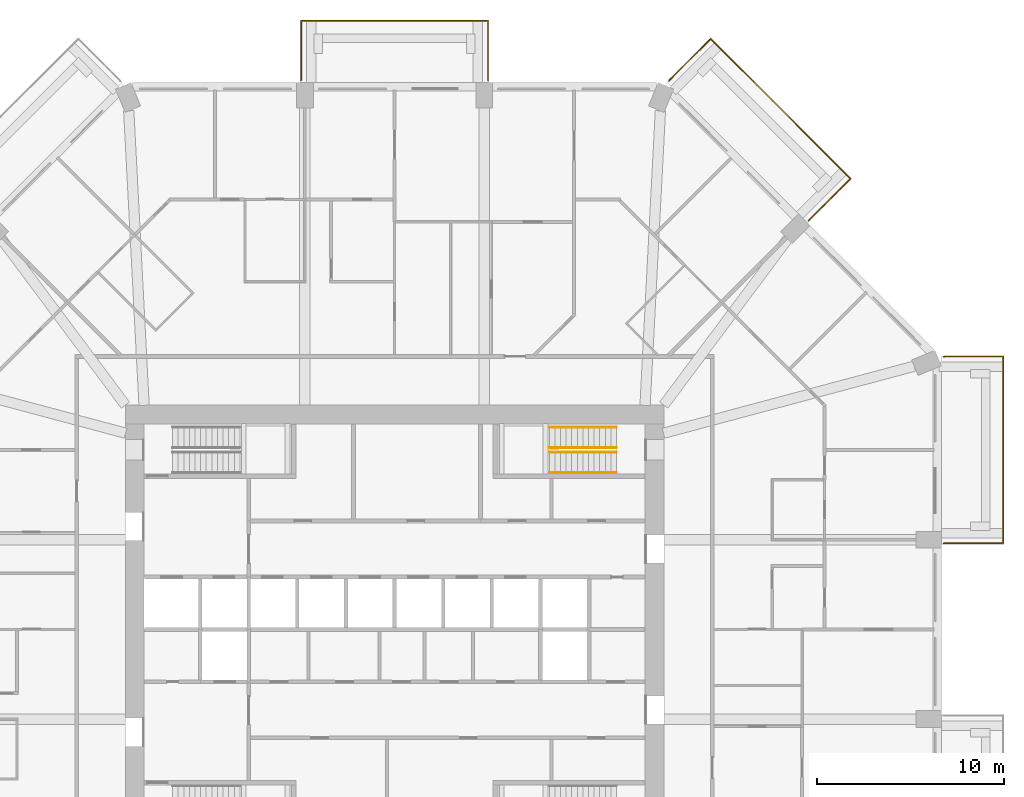
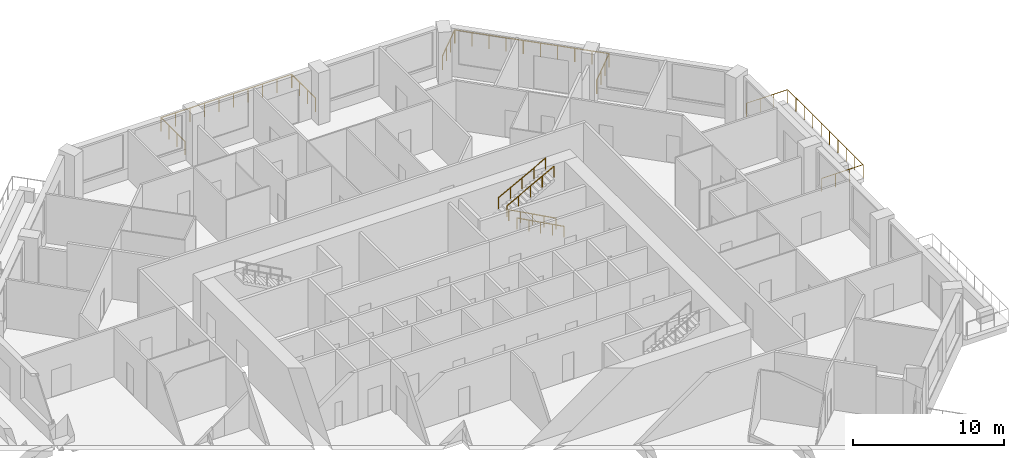
# One storey, part 13 of 13: 7 railings.
"""IFC4 building model written with IfcOpenShell, lengths in metres."""

from ifc_helpers import new_model, si_unit, direction, frame, origin, origin_2d, place, context, subcontext, project, spatial, circle, extrude, material, constituent, constituent_set, type_object, element, save


model = new_model("IFC4")

# Units and contexts
model_context = context("Model", 3, precision=1e-05, world=origin(), true_north=direction((0.0, 1.0)))
body_context = subcontext(model_context, "Body", "Model", "MODEL_VIEW")
ifc_project = project(units=[si_unit("LENGTHUNIT", "METRE"), si_unit("AREAUNIT", "SQUARE_METRE"), si_unit("VOLUMEUNIT", "CUBIC_METRE"), si_unit("PLANEANGLEUNIT", "RADIAN"), si_unit("MASSUNIT", "GRAM", prefix="KILO")], contexts=[model_context])

# Site, building, storey
site_placement = place(None, origin())
site = spatial("IfcSite", under=ifc_project, at=site_placement, CompositionType="ELEMENT")
building_placement = place(site_placement, origin())
building = spatial("IfcBuilding", under=site, at=building_placement, Name="Msitu Wima Residences", CompositionType="ELEMENT")
storey_placement = place(building_placement, frame((0.0, 0.0, 25.5)))
storey = spatial("IfcBuildingStorey", under=building, at=storey_placement, Name="L05", CompositionType="ELEMENT", Elevation=25.5)

# Railings
ifc_material_1 = material(Name="Steel S355", Category="steel")
ifc_constituent_1 = constituent(ifc_material_1, Name="Steel S355")
ifc_material_2 = material(Name="Weathering patina")
ifc_constituent_2 = constituent(ifc_material_2, Name="Weathering patina")
ifc_constituent_set_1 = constituent_set(constituents=[ifc_constituent_1, ifc_constituent_2], Name="Steel S355")
railing_type_1 = type_object("IfcRailingType", Name="Balcony guard GR1100", PredefinedType="GUARDRAIL", material=ifc_constituent_set_1)
railing_1_placement = place(storey_placement, frame((29.3798828125, 14.586181640625, 0.0)))
element("IfcRailing", 1, at=railing_1_placement, inside=storey, type_object=railing_type_1, Name="Balcony guard E2 L05", PredefinedType="GUARDRAIL", context=body_context, shape_type="SweptSolid", body=[
    extrude(circle(Radius=0.02392578125, at=origin_2d()), frame((0.0, 0.0, 1.076171875), z_axis=(0.92426142649, 0.38176015442, 0.0), x_axis=(-0.38176015442, 0.92426142649, 0.0)), (0.0, 0.0, 1.0), 0.036376953125),
    extrude(circle(Radius=0.02392578125, at=origin_2d()), frame((0.03369140625, 0.013916015625, 1.076171875), z_axis=(1.0, 0.0, 0.0), x_axis=(0.0, 1.0, 0.0)), (0.0, 0.0, 1.0), 3.136474609375),
    extrude(circle(Radius=0.02392578125, at=origin_2d()), frame((3.170166015625, 0.013916015625, 1.076171875), z_axis=(0.0, -1.0, 0.0), x_axis=(1.0, 0.0, 0.0)), (0.0, 0.0, 1.0), 10.0),
    extrude(circle(Radius=0.02392578125, at=origin_2d()), frame((3.170166015625, -9.986083984375, 1.076171875), z_axis=(-1.0, 0.0, 0.0), x_axis=(0.0, -1.0, 0.0)), (0.0, 0.0, 1.0), 3.170166015625),
    extrude(circle(Radius=0.02099609375, at=origin_2d()), origin(), (0.0, 0.0, 1.0), 1.052001953125),
    extrude(circle(Radius=0.02099609375, at=origin_2d()), frame((0.03369140625, 0.013916015625, 0.0)), (0.0, 0.0, 1.0), 1.052001953125),
    extrude(circle(Radius=0.02099609375, at=origin_2d()), frame((1.0791015625, 0.013916015625, 0.0)), (0.0, 0.0, 1.0), 1.052001953125),
    extrude(circle(Radius=0.02099609375, at=origin_2d()), frame((2.124755859375, 0.013916015625, 0.0)), (0.0, 0.0, 1.0), 1.052001953125),
    extrude(circle(Radius=0.02099609375, at=origin_2d()), frame((3.170166015625, 0.013916015625, 0.0)), (0.0, 0.0, 1.0), 1.052001953125),
    extrude(circle(Radius=0.02099609375, at=origin_2d()), frame((3.170166015625, -1.09716796875, 0.0)), (0.0, 0.0, 1.0), 1.052001953125),
    extrude(circle(Radius=0.02099609375, at=origin_2d()), frame((3.170166015625, -2.208251953125, 0.0)), (0.0, 0.0, 1.0), 1.052001953125),
    extrude(circle(Radius=0.02099609375, at=origin_2d()), frame((3.170166015625, -3.3193359375, 0.0)), (0.0, 0.0, 1.0), 1.052001953125),
    extrude(circle(Radius=0.02099609375, at=origin_2d()), frame((3.170166015625, -4.430419921875, 0.0)), (0.0, 0.0, 1.0), 1.052001953125),
    extrude(circle(Radius=0.02099609375, at=origin_2d()), frame((3.170166015625, -5.541748046875, 0.0)), (0.0, 0.0, 1.0), 1.052001953125),
    extrude(circle(Radius=0.02099609375, at=origin_2d()), frame((3.170166015625, -6.65283203125, 0.0)), (0.0, 0.0, 1.0), 1.052001953125),
    extrude(circle(Radius=0.02099609375, at=origin_2d()), frame((3.170166015625, -7.763916015625, 0.0)), (0.0, 0.0, 1.0), 1.052001953125),
    extrude(circle(Radius=0.02099609375, at=origin_2d()), frame((3.170166015625, -8.875, 0.0)), (0.0, 0.0, 1.0), 1.052001953125),
    extrude(circle(Radius=0.02099609375, at=origin_2d()), frame((3.170166015625, -9.986083984375, 0.0)), (0.0, 0.0, 1.0), 1.052001953125),
    extrude(circle(Radius=0.02099609375, at=origin_2d()), frame((2.113525390625, -9.986083984375, 0.0)), (0.0, 0.0, 1.0), 1.052001953125),
    extrude(circle(Radius=0.02099609375, at=origin_2d()), frame((1.056640625, -9.986083984375, 0.0)), (0.0, 0.0, 1.0), 1.052001953125),
    extrude(circle(Radius=0.02099609375, at=origin_2d()), frame((0.0, -9.986083984375, 0.0)), (0.0, 0.0, 1.0), 1.052001953125),
])
railing_2_placement = place(storey_placement, frame((14.678466796875, 29.341796875, 0.0)))
element("IfcRailing", 2, at=railing_2_placement, inside=storey, type_object=railing_type_1, Name="Balcony guard NE1 L05", PredefinedType="GUARDRAIL", context=body_context, shape_type="SweptSolid", body=[
    extrude(circle(Radius=0.02392578125, at=origin_2d()), frame((0.0, 0.0, 1.076171875), z_axis=(0.384136806859, 0.923276184907, 0.0), x_axis=(-0.923276184907, 0.384136806859, 0.0)), (0.0, 0.0, 1.0), 0.0361328125),
    extrude(circle(Radius=0.02392578125, at=origin_2d()), frame((0.013916015625, 0.033447265625, 1.076171875), z_axis=(0.707106781187, 0.707106781187, 0.0), x_axis=(-0.707106781187, 0.707106781187, 0.0)), (0.0, 0.0, 1.0), 3.136474609375),
    extrude(circle(Radius=0.02392578125, at=origin_2d()), frame((2.231689453125, 2.251220703125, 1.076171875), z_axis=(0.707118316465, -0.70709524572, 0.0), x_axis=(0.70709524572, 0.707118316465, 0.0)), (0.0, 0.0, 1.0), 10.582275390625),
    extrude(circle(Radius=0.02392578125, at=origin_2d()), frame((9.714599609375, -5.2314453125, 1.076171875), z_axis=(-0.707068272989, -0.707145287287, 0.0), x_axis=(0.707145287287, -0.707068272989, 0.0)), (0.0, 0.0, 1.0), 3.170166015625),
    extrude(circle(Radius=0.02099609375, at=origin_2d()), origin(), (0.0, 0.0, 1.0), 1.052001953125),
    extrude(circle(Radius=0.02099609375, at=origin_2d()), frame((0.013916015625, 0.033447265625, 0.0)), (0.0, 0.0, 1.0), 1.052001953125),
    extrude(circle(Radius=0.02099609375, at=origin_2d()), frame((0.753173828125, 0.772705078125, 0.0)), (0.0, 0.0, 1.0), 1.052001953125),
    extrude(circle(Radius=0.02099609375, at=origin_2d()), frame((1.492431640625, 1.511962890625, 0.0)), (0.0, 0.0, 1.0), 1.052001953125),
    extrude(circle(Radius=0.02099609375, at=origin_2d()), frame((2.231689453125, 2.251220703125, 0.0)), (0.0, 0.0, 1.0), 1.052001953125),
    extrude(circle(Radius=0.02099609375, at=origin_2d()), frame((3.063232421875, 1.419921875, 0.0)), (0.0, 0.0, 1.0), 1.052001953125),
    extrude(circle(Radius=0.02099609375, at=origin_2d()), frame((3.89453125, 0.58837890625, 0.0)), (0.0, 0.0, 1.0), 1.052001953125),
    extrude(circle(Radius=0.02099609375, at=origin_2d()), frame((4.72607421875, -0.242919921875, 0.0)), (0.0, 0.0, 1.0), 1.052001953125),
    extrude(circle(Radius=0.02099609375, at=origin_2d()), frame((5.557373046875, -1.074462890625, 0.0)), (0.0, 0.0, 1.0), 1.052001953125),
    extrude(circle(Radius=0.02099609375, at=origin_2d()), frame((6.388916015625, -1.90576171875, 0.0)), (0.0, 0.0, 1.0), 1.052001953125),
    extrude(circle(Radius=0.02099609375, at=origin_2d()), frame((7.22021484375, -2.7373046875, 0.0)), (0.0, 0.0, 1.0), 1.052001953125),
    extrude(circle(Radius=0.02099609375, at=origin_2d()), frame((8.0517578125, -3.568603515625, 0.0)), (0.0, 0.0, 1.0), 1.052001953125),
    extrude(circle(Radius=0.02099609375, at=origin_2d()), frame((8.883056640625, -4.400146484375, 0.0)), (0.0, 0.0, 1.0), 1.052001953125),
    extrude(circle(Radius=0.02099609375, at=origin_2d()), frame((9.714599609375, -5.2314453125, 0.0)), (0.0, 0.0, 1.0), 1.052001953125),
    extrude(circle(Radius=0.02099609375, at=origin_2d()), frame((8.967529296875, -5.978759765625, 0.0)), (0.0, 0.0, 1.0), 1.052001953125),
    extrude(circle(Radius=0.02099609375, at=origin_2d()), frame((8.22021484375, -6.725830078125, 0.0)), (0.0, 0.0, 1.0), 1.052001953125),
    extrude(circle(Radius=0.02099609375, at=origin_2d()), frame((7.47314453125, -7.47314453125, 0.0)), (0.0, 0.0, 1.0), 1.052001953125),
])
railing_3_placement = place(storey_placement, frame((-5.0, 29.3798828125, 0.0)))
element("IfcRailing", 3, at=railing_3_placement, inside=storey, type_object=railing_type_1, Name="Balcony guard N1 L05", PredefinedType="GUARDRAIL", context=body_context, shape_type="SweptSolid", body=[
    extrude(circle(Radius=0.02392578125, at=origin_2d()), frame((0.0, 0.0, 1.076171875), z_axis=(0.0, 1.0, 0.0), x_axis=(-1.0, 0.0, 0.0)), (0.0, 0.0, 1.0), 3.170166015625),
    extrude(circle(Radius=0.02392578125, at=origin_2d()), frame((0.0, 3.170166015625, 1.076171875), z_axis=(1.0, 0.0, 0.0), x_axis=(0.0, 1.0, 0.0)), (0.0, 0.0, 1.0), 10.0),
    extrude(circle(Radius=0.02392578125, at=origin_2d()), frame((10.0, 3.170166015625, 1.076171875), z_axis=(0.0, -1.0, 0.0), x_axis=(1.0, 0.0, 0.0)), (0.0, 0.0, 1.0), 3.170166015625),
    extrude(circle(Radius=0.02099609375, at=origin_2d()), origin(), (0.0, 0.0, 1.0), 1.052001953125),
    extrude(circle(Radius=0.02099609375, at=origin_2d()), frame((0.0, 1.056640625, 0.0)), (0.0, 0.0, 1.0), 1.052001953125),
    extrude(circle(Radius=0.02099609375, at=origin_2d()), frame((0.0, 2.113525390625, 0.0)), (0.0, 0.0, 1.0), 1.052001953125),
    extrude(circle(Radius=0.02099609375, at=origin_2d()), frame((0.0, 3.170166015625, 0.0)), (0.0, 0.0, 1.0), 1.052001953125),
    extrude(circle(Radius=0.02099609375, at=origin_2d()), frame((1.111083984375, 3.170166015625, 0.0)), (0.0, 0.0, 1.0), 1.052001953125),
    extrude(circle(Radius=0.02099609375, at=origin_2d()), frame((2.22216796875, 3.170166015625, 0.0)), (0.0, 0.0, 1.0), 1.052001953125),
    extrude(circle(Radius=0.02099609375, at=origin_2d()), frame((3.333251953125, 3.170166015625, 0.0)), (0.0, 0.0, 1.0), 1.052001953125),
    extrude(circle(Radius=0.02099609375, at=origin_2d()), frame((4.4443359375, 3.170166015625, 0.0)), (0.0, 0.0, 1.0), 1.052001953125),
    extrude(circle(Radius=0.02099609375, at=origin_2d()), frame((5.5556640625, 3.170166015625, 0.0)), (0.0, 0.0, 1.0), 1.052001953125),
    extrude(circle(Radius=0.02099609375, at=origin_2d()), frame((6.666748046875, 3.170166015625, 0.0)), (0.0, 0.0, 1.0), 1.052001953125),
    extrude(circle(Radius=0.02099609375, at=origin_2d()), frame((7.77783203125, 3.170166015625, 0.0)), (0.0, 0.0, 1.0), 1.052001953125),
    extrude(circle(Radius=0.02099609375, at=origin_2d()), frame((8.888916015625, 3.170166015625, 0.0)), (0.0, 0.0, 1.0), 1.052001953125),
    extrude(circle(Radius=0.02099609375, at=origin_2d()), frame((10.0, 3.170166015625, 0.0)), (0.0, 0.0, 1.0), 1.052001953125),
    extrude(circle(Radius=0.02099609375, at=origin_2d()), frame((10.0, 2.113525390625, 0.0)), (0.0, 0.0, 1.0), 1.052001953125),
    extrude(circle(Radius=0.02099609375, at=origin_2d()), frame((10.0, 1.056640625, 0.0)), (0.0, 0.0, 1.0), 1.052001953125),
    extrude(circle(Radius=0.02099609375, at=origin_2d()), frame((10.0, 0.0, 0.0)), (0.0, 0.0, 1.0), 1.052001953125),
])
ifc_constituent_3 = constituent(ifc_material_1, Name="Steel S355")
ifc_material_3 = material(Name="Black powder coating")
ifc_constituent_4 = constituent(ifc_material_3, Name="Black powder coating")
ifc_constituent_set_2 = constituent_set(constituents=[ifc_constituent_3, ifc_constituent_4], Name="Steel S355")
railing_type_2 = type_object("IfcRailingType", Name="Stair handrail HR1", PredefinedType="HANDRAIL", material=ifc_constituent_set_2)
for number, where, name in (
    (4, (11.875, 8.375, 0.16162109375), "Stair 3 handrail"),
    (5, (11.875, 9.47509765625, 0.16162109375), "Stair 3 handrail"),
):
    element("IfcRailing", number, at=place(storey_placement, frame(where)), inside=storey, type_object=railing_type_2, Name=name, PredefinedType="HANDRAIL", context=body_context, shape_type="SweptSolid", body=[
        extrude(circle(Radius=0.02392578125, at=origin_2d()), frame((0.0, 0.0, 0.8759765625), z_axis=(-0.880474934443, 0.0, 0.474092701714), x_axis=(0.0, -1.0, 0.0)), (0.0, 0.0, 1.0), 4.0888671875),
        extrude(circle(Radius=0.02099609375, at=origin_2d()), origin(), (0.0, 0.0, 1.0), 0.851806640625),
        extrude(circle(Radius=0.02099609375, at=origin_2d()), frame((-0.89990234375, 0.0, 0.484619140625)), (0.0, 0.0, 1.0), 0.851806640625),
        extrude(circle(Radius=0.02099609375, at=origin_2d()), frame((-1.800048828125, 0.0, 0.96923828125)), (0.0, 0.0, 1.0), 0.851806640625),
        extrude(circle(Radius=0.02099609375, at=origin_2d()), frame((-2.7001953125, 0.0, 1.453857421875)), (0.0, 0.0, 1.0), 0.851806640625),
        extrude(circle(Radius=0.02099609375, at=origin_2d()), frame((-3.60009765625, 0.0, 1.9384765625)), (0.0, 0.0, 1.0), 0.851806640625),
    ])
for number, where, name in (
    (6, (8.27490234375, 9.72509765625, 2.261474609375), "Stair 3 handrail"),
    (7, (8.27490234375, 10.824951171875, 2.261474609375), "Stair 3 handrail"),
):
    element("IfcRailing", number, at=place(storey_placement, frame(where)), inside=storey, type_object=railing_type_2, Name=name, PredefinedType="HANDRAIL", context=body_context, shape_type="SweptSolid", body=[
        extrude(circle(Radius=0.02392578125, at=origin_2d()), frame((0.0, 0.0, 0.8759765625), z_axis=(0.880474934443, 0.0, 0.474092701714), x_axis=(0.0, 1.0, 0.0)), (0.0, 0.0, 1.0), 4.0888671875),
        extrude(circle(Radius=0.02099609375, at=origin_2d()), origin(), (0.0, 0.0, 1.0), 0.851806640625),
        extrude(circle(Radius=0.02099609375, at=origin_2d()), frame((0.89990234375, 0.0, 0.484619140625)), (0.0, 0.0, 1.0), 0.851806640625),
        extrude(circle(Radius=0.02099609375, at=origin_2d()), frame((1.800048828125, 0.0, 0.96923828125)), (0.0, 0.0, 1.0), 0.851806640625),
        extrude(circle(Radius=0.02099609375, at=origin_2d()), frame((2.7001953125, 0.0, 1.453857421875)), (0.0, 0.0, 1.0), 0.851806640625),
        extrude(circle(Radius=0.02099609375, at=origin_2d()), frame((3.60009765625, 0.0, 1.9384765625)), (0.0, 0.0, 1.0), 0.851806640625),
    ])

save(model, "model.ifc")
